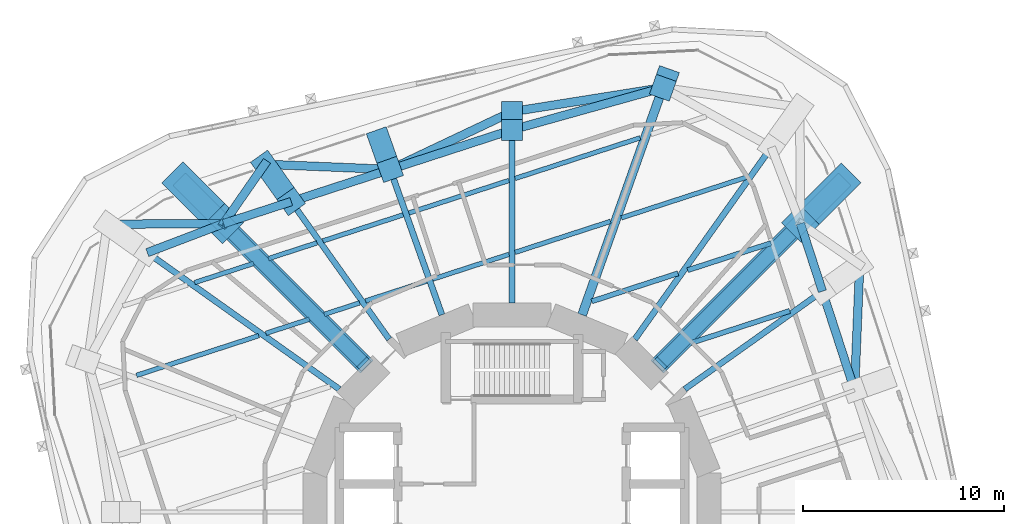
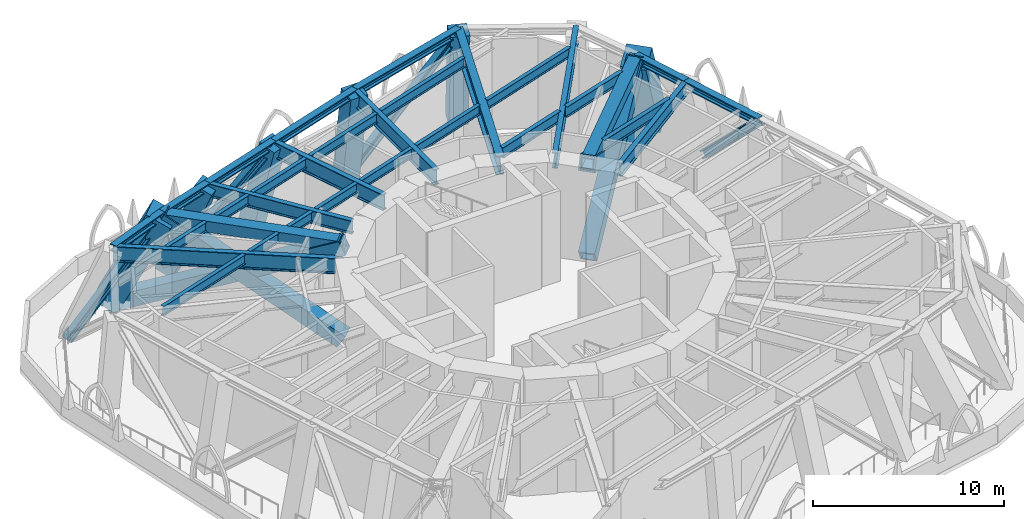
# One storey, part 3 of 11: 25 members, 22 beams.
"""IFC4 building model written with IfcOpenShell, lengths in metres."""

from ifc_helpers import new_model, si_unit, direction, frame, origin, origin_2d, place, context, subcontext, project, spatial, rectangle, hollow_rectangle, i_section, extrude, material, material_profile, profile_set, type_object, element, save


model = new_model("IFC4")

# Units and contexts
model_context = context("Model", 3, precision=1e-05, world=origin(), true_north=direction((0.0, 1.0)))
body_context = subcontext(model_context, "Body", "Model", "MODEL_VIEW")
ifc_project = project(units=[si_unit("LENGTHUNIT", "METRE"), si_unit("AREAUNIT", "SQUARE_METRE"), si_unit("VOLUMEUNIT", "CUBIC_METRE"), si_unit("PLANEANGLEUNIT", "RADIAN"), si_unit("MASSUNIT", "GRAM", prefix="KILO")], contexts=[model_context])

# Site, building, storey
site_placement = place(None, origin())
site = spatial("IfcSite", under=ifc_project, at=site_placement, CompositionType="ELEMENT")
building_placement = place(site_placement, origin())
building = spatial("IfcBuilding", under=site, at=building_placement, Name="Nakasero Lantern House", CompositionType="ELEMENT")
storey_placement = place(building_placement, frame((0.0, 0.0, 135.800048828125)))
storey = spatial("IfcBuildingStorey", under=building, at=storey_placement, Name="L33", CompositionType="ELEMENT", Elevation=135.800048828125)

# Members
ifc_material_1 = material(Name="Steel S355", Category="steel")
ifc_material_profile_1 = material_profile(ifc_material_1, i_section(OverallWidth=0.41845703125, OverallDepth=0.45556640625, WebThickness=0.0419921875, FlangeThickness=0.0673828125, FilletRadius=0.01513671875, at=origin_2d()), Name="UC 356x406x551")
ifc_profile_set_1 = profile_set([ifc_material_profile_1], Name="Steel S355")
member_type_1 = type_object("IfcMemberType", Name="Belt truss chord UC 356x406x551", PredefinedType="CHORD", material=ifc_profile_set_1)
member_1_placement = place(storey_placement, frame((17.060546875, 6.06591796875, 5.572265625), z_axis=(-0.309023207396, 0.95105449754, 0.0), x_axis=(-0.95105449754, -0.309023207396, 0.0)))
element("IfcMember", 1, at=member_1_placement, inside=storey, type_object=member_type_1, Name="Belt truss top chord T3 B4-C04T", PredefinedType="CHORD", context=body_context, shape_type="SweptSolid", body=[
    extrude(i_section(OverallWidth=0.41845703125, OverallDepth=0.45556640625, WebThickness=0.0419921875, FlangeThickness=0.0673828125, FilletRadius=0.01513671875, at=origin_2d()), origin(), (0.0, 0.0, 1.0), 5.18115234375),
])
member_2_placement = place(storey_placement, frame((15.45947265625, 10.993408203125, 5.572265625), z_axis=(-0.309006636447, 0.951059881727, 0.0), x_axis=(-0.951059881727, -0.309006636447, 0.0)))
element("IfcMember", 2, at=member_2_placement, inside=storey, type_object=member_type_1, Name="Belt truss top chord T3 B4-C05T", PredefinedType="CHORD", context=body_context, shape_type="SweptSolid", body=[
    extrude(i_section(OverallWidth=0.41845703125, OverallDepth=0.45556640625, WebThickness=0.0419921875, FlangeThickness=0.0673828125, FilletRadius=0.01513671875, at=origin_2d()), origin(), (0.0, 0.0, 1.0), 3.544189453125),
])
member_3_placement = place(storey_placement, frame((7.5126953125, 21.129638671875, 5.572265625), z_axis=(-0.963143892339, -0.268986696047, 0.0), x_axis=(0.268986696047, -0.963143892339, 0.0)))
element("IfcMember", 3, at=member_3_placement, inside=storey, type_object=member_type_1, Name="Belt truss top chord T3 B4-C08T", PredefinedType="CHORD", context=body_context, shape_type="SweptSolid", body=[
    extrude(i_section(OverallWidth=0.41845703125, OverallDepth=0.45556640625, WebThickness=0.0419921875, FlangeThickness=0.0673828125, FilletRadius=0.01513671875, at=origin_2d()), origin(), (0.0, 0.0, 1.0), 7.80029296875),
])
member_4_placement = place(storey_placement, frame((0.0, 19.031494140625, 5.572265625), z_axis=(-0.951056007502, -0.309018560274, 0.0), x_axis=(0.309018560274, -0.951056007502, 0.0)))
element("IfcMember", 4, at=member_4_placement, inside=storey, type_object=member_type_1, Name="Belt truss top chord T3 B4-C09T", PredefinedType="CHORD", context=body_context, shape_type="SweptSolid", body=[
    extrude(i_section(OverallWidth=0.41845703125, OverallDepth=0.45556640625, WebThickness=0.0419921875, FlangeThickness=0.0673828125, FilletRadius=0.01513671875, at=origin_2d()), origin(), (0.0, 0.0, 1.0), 6.378173828125),
])
member_5_placement = place(storey_placement, frame((-6.06591796875, 17.060546875, 5.572265625), z_axis=(-0.95105449754, -0.309023207396, 0.0), x_axis=(0.309023207396, -0.95105449754, 0.0)))
element("IfcMember", 5, at=member_5_placement, inside=storey, type_object=member_type_1, Name="Belt truss top chord T3 B4-C10T", PredefinedType="CHORD", context=body_context, shape_type="SweptSolid", body=[
    extrude(i_section(OverallWidth=0.41845703125, OverallDepth=0.45556640625, WebThickness=0.0419921875, FlangeThickness=0.0673828125, FilletRadius=0.01513671875, at=origin_2d()), origin(), (0.0, 0.0, 1.0), 5.18115234375),
])
member_6_placement = place(storey_placement, frame((-10.993408203125, 15.45947265625, 5.572265625), z_axis=(-0.951059881727, -0.309006636447, 0.0), x_axis=(0.309006636447, -0.951059881727, 0.0)))
element("IfcMember", 6, at=member_6_placement, inside=storey, type_object=member_type_1, Name="Belt truss top chord T3 B4-C11T", PredefinedType="CHORD", context=body_context, shape_type="SweptSolid", body=[
    extrude(i_section(OverallWidth=0.41845703125, OverallDepth=0.45556640625, WebThickness=0.0419921875, FlangeThickness=0.0673828125, FilletRadius=0.01513671875, at=origin_2d()), origin(), (0.0, 0.0, 1.0), 3.544189453125),
])
member_7_placement = place(storey_placement, frame((-14.3642578125, 14.3642578125, 5.572265625), z_axis=(-0.934400186194, -0.35622505813, 0.0), x_axis=(0.35622505813, -0.934400186194, 0.0)))
element("IfcMember", 7, at=member_7_placement, inside=storey, type_object=member_type_1, Name="Belt truss top chord T3 B4-C12T", PredefinedType="CHORD", context=body_context, shape_type="SweptSolid", body=[
    extrude(i_section(OverallWidth=0.41845703125, OverallDepth=0.45556640625, WebThickness=0.0419921875, FlangeThickness=0.0673828125, FilletRadius=0.01513671875, at=origin_2d()), origin(), (0.0, 0.0, 1.0), 4.0654296875),
])
ifc_material_2 = material(Name="Steel S355", Category="steel")
ifc_material_profile_2 = material_profile(ifc_material_2, i_section(OverallWidth=0.424072265625, OverallDepth=0.474609375, WebThickness=0.047607421875, FlangeThickness=0.076904296875, FilletRadius=0.01513671875, at=origin_2d()), Name="UC 356x406x634")
ifc_profile_set_2 = profile_set([ifc_material_profile_2], Name="Steel S355")
member_type_2 = type_object("IfcMemberType", Name="Belt truss diagonal UC 356x406x634", PredefinedType="BRACE", material=ifc_profile_set_2)
member_8_placement = place(storey_placement, frame((17.060546875, 6.06591796875, 5.572265625), z_axis=(0.02971833324, 0.721014651765, -0.692282234793), x_axis=(-0.99915164467, 0.041182410733, 0.0)))
element("IfcMember", 8, at=member_8_placement, inside=storey, type_object=member_type_2, Name="Belt truss diagonal T3-04", PredefinedType="BRACE", context=body_context, shape_type="SweptSolid", body=[
    extrude(i_section(OverallWidth=0.424072265625, OverallDepth=0.474609375, WebThickness=0.047607421875, FlangeThickness=0.076904296875, FilletRadius=0.01513671875, at=origin_2d()), origin(), (0.0, 0.0, 1.0), 8.6669921875),
])
member_9_placement = place(storey_placement, frame((7.5126953125, 21.129638671875, 5.572265625), z_axis=(-0.775426409651, -0.123248751124, -0.61929284556), x_axis=(0.156972765482, -0.987602931798, 0.0)))
element("IfcMember", 9, at=member_9_placement, inside=storey, type_object=member_type_2, Name="Belt truss diagonal T3-08", PredefinedType="BRACE", context=body_context, shape_type="SweptSolid", body=[
    extrude(i_section(OverallWidth=0.424072265625, OverallDepth=0.474609375, WebThickness=0.047607421875, FlangeThickness=0.076904296875, FilletRadius=0.01513671875, at=origin_2d()), origin(), (0.0, 0.0, 1.0), 9.6884765625),
])
member_10_placement = place(storey_placement, frame((0.0, 19.935546875, -0.427734375), z_axis=(-0.673737300974, -0.319324255666, 0.666415837911), x_axis=(0.42828957635, -0.903641543307, 0.0)))
element("IfcMember", 10, at=member_10_placement, inside=storey, type_object=member_type_2, Name="Belt truss diagonal T3-09", PredefinedType="BRACE", context=body_context, shape_type="SweptSolid", body=[
    extrude(i_section(OverallWidth=0.424072265625, OverallDepth=0.474609375, WebThickness=0.047607421875, FlangeThickness=0.076904296875, FilletRadius=0.01513671875, at=origin_2d()), origin(), (0.0, 0.0, 1.0), 9.00341796875),
])
member_11_placement = place(storey_placement, frame((-6.06591796875, 17.060546875, 5.572265625), z_axis=(-0.721014651765, 0.02971833324, -0.692282234793), x_axis=(-0.041182410733, -0.99915164467, 0.0)))
element("IfcMember", 11, at=member_11_placement, inside=storey, type_object=member_type_2, Name="Belt truss diagonal T3-10", PredefinedType="BRACE", context=body_context, shape_type="SweptSolid", body=[
    extrude(i_section(OverallWidth=0.424072265625, OverallDepth=0.474609375, WebThickness=0.047607421875, FlangeThickness=0.076904296875, FilletRadius=0.01513671875, at=origin_2d()), origin(), (0.0, 0.0, 1.0), 8.6669921875),
])
member_12_placement = place(storey_placement, frame((-12.31494140625, 17.318115234375, -0.427734375), z_axis=(-0.292983880394, -0.422303069917, 0.857799838522), x_axis=(0.821627058454, -0.570025417693, 0.0)))
element("IfcMember", 12, at=member_12_placement, inside=storey, type_object=member_type_2, Name="Belt truss diagonal T3-11", PredefinedType="BRACE", context=body_context, shape_type="SweptSolid", body=[
    extrude(i_section(OverallWidth=0.424072265625, OverallDepth=0.474609375, WebThickness=0.047607421875, FlangeThickness=0.076904296875, FilletRadius=0.01513671875, at=origin_2d()), origin(), (0.0, 0.0, 1.0), 6.99462890625),
])
member_13_placement = place(storey_placement, frame((-14.3642578125, 14.3642578125, 5.572265625), z_axis=(-0.694520822143, -0.003688653835, -0.719463148078), x_axis=(0.005311002485, -0.999985896527, 0.0)))
element("IfcMember", 13, at=member_13_placement, inside=storey, type_object=member_type_2, Name="Belt truss diagonal T3-12", PredefinedType="BRACE", context=body_context, shape_type="SweptSolid", body=[
    extrude(i_section(OverallWidth=0.424072265625, OverallDepth=0.474609375, WebThickness=0.047607421875, FlangeThickness=0.076904296875, FilletRadius=0.01513671875, at=origin_2d()), origin(), (0.0, 0.0, 1.0), 8.339599609375),
])

# Beams
ifc_material_3 = material(Name="Steel S355", Category="steel")
ifc_material_profile_3 = material_profile(ifc_material_3, i_section(OverallWidth=0.22900390625, OverallDepth=0.6123046875, WebThickness=0.011962890625, FlangeThickness=0.01953125, FilletRadius=0.0126953125, at=origin_2d()), Name="UB 610x229x125")
ifc_profile_set_3 = profile_set([ifc_material_profile_3], Name="Steel S355")
beam_type_1 = type_object("IfcBeamType", Name="Infill beam UB 610x229x125", PredefinedType="JOIST", material=ifc_profile_set_3)
beam_1_placement = place(storey_placement, frame((-18.700439453125, 6.80419921875, 5.493896484375), z_axis=(0.951050317144, 0.309036072748, 0.0), x_axis=(-0.309036072748, 0.951050317144, 0.0)))
element("IfcBeam", 14, at=beam_1_placement, inside=storey, type_object=beam_type_1, Name="Infill beam L34 11.2", PredefinedType="JOIST", context=body_context, shape_type="SweptSolid", body=[
    extrude(i_section(OverallWidth=0.22900390625, OverallDepth=0.6123046875, WebThickness=0.011962890625, FlangeThickness=0.01953125, FilletRadius=0.0126953125, at=origin_2d()), origin(), (0.0, 0.0, 1.0), 6.40380859375),
])
beam_2_placement = place(storey_placement, frame((-12.2548828125, 8.898681640625, 5.493896484375), z_axis=(0.951064087789, 0.308993690742, 0.0), x_axis=(-0.308993690742, 0.951064087789, 0.0)))
element("IfcBeam", 15, at=beam_2_placement, inside=storey, type_object=beam_type_1, Name="Infill beam L34 11.3", PredefinedType="JOIST", context=body_context, shape_type="SweptSolid", body=[
    extrude(i_section(OverallWidth=0.22900390625, OverallDepth=0.6123046875, WebThickness=0.011962890625, FlangeThickness=0.01953125, FilletRadius=0.0126953125, at=origin_2d()), origin(), (0.0, 0.0, 1.0), 2.270751953125),
])
beam_3_placement = place(storey_placement, frame((-9.34814453125, 9.843017578125, 5.493896484375), z_axis=(0.951066985522, 0.30898477155, 0.0), x_axis=(-0.30898477155, 0.951066985522, 0.0)))
element("IfcBeam", 16, at=beam_3_placement, inside=storey, type_object=beam_type_1, Name="Infill beam L34 11.4", PredefinedType="JOIST", context=body_context, shape_type="SweptSolid", body=[
    extrude(i_section(OverallWidth=0.22900390625, OverallDepth=0.6123046875, WebThickness=0.011962890625, FlangeThickness=0.01953125, FilletRadius=0.0126953125, at=origin_2d()), origin(), (0.0, 0.0, 1.0), 1.852783203125),
])
beam_4_placement = place(storey_placement, frame((-7.294677734375, 10.51025390625, 5.493896484375), z_axis=(0.951064877985, 0.308991258555, 0.0), x_axis=(-0.308991258555, 0.951064877985, 0.0)))
element("IfcBeam", 17, at=beam_4_placement, inside=storey, type_object=beam_type_1, Name="Infill beam L34 11.5", PredefinedType="JOIST", context=body_context, shape_type="SweptSolid", body=[
    extrude(i_section(OverallWidth=0.22900390625, OverallDepth=0.6123046875, WebThickness=0.011962890625, FlangeThickness=0.01953125, FilletRadius=0.0126953125, at=origin_2d()), origin(), (0.0, 0.0, 1.0), 3.202392578125),
])
beam_5_placement = place(storey_placement, frame((-3.961669921875, 11.59326171875, 5.493896484375), z_axis=(0.951056001018, 0.309018580232, 0.0), x_axis=(-0.309018580232, 0.951056001018, 0.0)))
element("IfcBeam", 18, at=beam_5_placement, inside=storey, type_object=beam_type_1, Name="Infill beam L34 11.6", PredefinedType="JOIST", context=body_context, shape_type="SweptSolid", body=[
    extrude(i_section(OverallWidth=0.22900390625, OverallDepth=0.6123046875, WebThickness=0.011962890625, FlangeThickness=0.01953125, FilletRadius=0.0126953125, at=origin_2d()), origin(), (0.0, 0.0, 1.0), 4.0078125),
])
beam_6_placement = place(storey_placement, frame((0.14990234375, 12.92919921875, 5.493896484375), z_axis=(0.951061678684, 0.309001105723, 0.0), x_axis=(-0.309001105723, 0.951061678684, 0.0)))
element("IfcBeam", 19, at=beam_6_placement, inside=storey, type_object=beam_type_1, Name="Infill beam L34 11.7", PredefinedType="JOIST", context=body_context, shape_type="SweptSolid", body=[
    extrude(i_section(OverallWidth=0.22900390625, OverallDepth=0.6123046875, WebThickness=0.011962890625, FlangeThickness=0.01953125, FilletRadius=0.0126953125, at=origin_2d()), origin(), (0.0, 0.0, 1.0), 5.0029296875),
])
beam_7_placement = place(storey_placement, frame((5.447998046875, 14.650634765625, 5.493896484375), z_axis=(0.95106558978, 0.308989067666, 0.0), x_axis=(-0.308989067666, 0.95106558978, 0.0)))
element("IfcBeam", 20, at=beam_7_placement, inside=storey, type_object=beam_type_1, Name="Infill beam L34 11.8", PredefinedType="JOIST", context=body_context, shape_type="SweptSolid", body=[
    extrude(i_section(OverallWidth=0.22900390625, OverallDepth=0.6123046875, WebThickness=0.011962890625, FlangeThickness=0.01953125, FilletRadius=0.0126953125, at=origin_2d()), origin(), (0.0, 0.0, 1.0), 6.544677734375),
])
beam_8_placement = place(storey_placement, frame((-15.806884765625, 11.424560546875, 5.493896484375), z_axis=(0.951053839547, 0.309025232437, 0.0), x_axis=(-0.309025232437, 0.951053839547, 0.0)))
element("IfcBeam", 21, at=beam_8_placement, inside=storey, type_object=beam_type_1, Name="Infill beam L34 12.2", PredefinedType="JOIST", context=body_context, shape_type="SweptSolid", body=[
    extrude(i_section(OverallWidth=0.22900390625, OverallDepth=0.6123046875, WebThickness=0.011962890625, FlangeThickness=0.01953125, FilletRadius=0.0126953125, at=origin_2d()), origin(), (0.0, 0.0, 1.0), 3.085205078125),
])
beam_9_placement = place(storey_placement, frame((-12.125732421875, 12.62060546875, 5.493896484375), z_axis=(0.951041844198, 0.3090621468, 0.0), x_axis=(-0.3090621468, 0.951041844198, 0.0)))
element("IfcBeam", 22, at=beam_9_placement, inside=storey, type_object=beam_type_1, Name="Infill beam L34 12.3", PredefinedType="JOIST", context=body_context, shape_type="SweptSolid", body=[
    extrude(i_section(OverallWidth=0.22900390625, OverallDepth=0.6123046875, WebThickness=0.011962890625, FlangeThickness=0.01953125, FilletRadius=0.0126953125, at=origin_2d()), origin(), (0.0, 0.0, 1.0), 2.5380859375),
])
beam_10_placement = place(storey_placement, frame((-9.42041015625, 13.499755859375, 5.493896484375), z_axis=(0.951060098043, 0.309005970671, 0.0), x_axis=(-0.309005970671, 0.951060098043, 0.0)))
element("IfcBeam", 23, at=beam_10_placement, inside=storey, type_object=beam_type_1, Name="Infill beam L34 12.4", PredefinedType="JOIST", context=body_context, shape_type="SweptSolid", body=[
    extrude(i_section(OverallWidth=0.22900390625, OverallDepth=0.6123046875, WebThickness=0.011962890625, FlangeThickness=0.01953125, FilletRadius=0.0126953125, at=origin_2d()), origin(), (0.0, 0.0, 1.0), 4.2041015625),
])
beam_11_placement = place(storey_placement, frame((-5.134765625, 14.89208984375, 5.493896484375), z_axis=(0.951059395916, 0.309008131673, 0.0), x_axis=(-0.309008131673, 0.951059395916, 0.0)))
element("IfcBeam", 24, at=beam_11_placement, inside=storey, type_object=beam_type_1, Name="Infill beam L34 12.5", PredefinedType="JOIST", context=body_context, shape_type="SweptSolid", body=[
    extrude(i_section(OverallWidth=0.22900390625, OverallDepth=0.6123046875, WebThickness=0.011962890625, FlangeThickness=0.01953125, FilletRadius=0.0126953125, at=origin_2d()), origin(), (0.0, 0.0, 1.0), 5.241455078125),
])
beam_12_placement = place(storey_placement, frame((0.14990234375, 16.609375, 5.493896484375), z_axis=(0.951057045808, 0.309015364696, 0.0), x_axis=(-0.309015364696, 0.951057045808, 0.0)))
element("IfcBeam", 25, at=beam_12_placement, inside=storey, type_object=beam_type_1, Name="Infill beam L34 12.6", PredefinedType="JOIST", context=body_context, shape_type="SweptSolid", body=[
    extrude(i_section(OverallWidth=0.22900390625, OverallDepth=0.6123046875, WebThickness=0.011962890625, FlangeThickness=0.01953125, FilletRadius=0.0126953125, at=origin_2d()), origin(), (0.0, 0.0, 1.0), 6.558349609375),
])
ifc_material_4 = material(Name="Steel S355", Category="steel")
ifc_material_profile_4 = material_profile(ifc_material_4, i_section(OverallWidth=0.253662109375, OverallDepth=0.68359375, WebThickness=0.012451171875, FlangeThickness=0.01904296875, FilletRadius=0.01513671875, at=origin_2d()), Name="UB 686x254x140")
ifc_profile_set_4 = profile_set([ifc_material_profile_4], Name="Steel S355")
beam_type_2 = type_object("IfcBeamType", Name="Infill beam UB 686x254x140", PredefinedType="JOIST", material=ifc_profile_set_4)
beam_13_placement = place(storey_placement, frame((8.91015625, 8.415283203125, 5.458251953125), z_axis=(0.951053838393, 0.30902523599, 0.0), x_axis=(-0.30902523599, 0.951053838393, 0.0)))
element("IfcBeam", 26, at=beam_13_placement, inside=storey, type_object=beam_type_2, Name="Infill beam L34 09.2", PredefinedType="JOIST", context=body_context, shape_type="SweptSolid", body=[
    extrude(i_section(OverallWidth=0.253662109375, OverallDepth=0.68359375, WebThickness=0.012451171875, FlangeThickness=0.01904296875, FilletRadius=0.01513671875, at=origin_2d()), origin(), (0.0, 0.0, 1.0), 5.17236328125),
])
beam_14_placement = place(storey_placement, frame((3.968505859375, 10.48974609375, 5.458251953125), z_axis=(0.951063822327, 0.308994507816, 0.0), x_axis=(-0.308994507816, 0.951063822327, 0.0)))
element("IfcBeam", 27, at=beam_14_placement, inside=storey, type_object=beam_type_2, Name="Infill beam L34 10.3", PredefinedType="JOIST", context=body_context, shape_type="SweptSolid", body=[
    extrude(i_section(OverallWidth=0.253662109375, OverallDepth=0.68359375, WebThickness=0.012451171875, FlangeThickness=0.01904296875, FilletRadius=0.01513671875, at=origin_2d()), origin(), (0.0, 0.0, 1.0), 4.521728515625),
])
beam_15_placement = place(storey_placement, frame((8.74755859375, 12.04248046875, 5.458251953125), z_axis=(0.951057515265, 0.309013919846, 0.0), x_axis=(-0.309013919846, 0.951057515265, 0.0)))
element("IfcBeam", 28, at=beam_15_placement, inside=storey, type_object=beam_type_2, Name="Infill beam L34 10.4", PredefinedType="JOIST", context=body_context, shape_type="SweptSolid", body=[
    extrude(i_section(OverallWidth=0.253662109375, OverallDepth=0.68359375, WebThickness=0.012451171875, FlangeThickness=0.01904296875, FilletRadius=0.01513671875, at=origin_2d()), origin(), (0.0, 0.0, 1.0), 4.361083984375),
])

# Members
ifc_material_5 = material(Name="Steel S355", Category="steel")
ifc_material_profile_5 = material_profile(ifc_material_5, hollow_rectangle(XDim=0.699951171875, YDim=0.699951171875, WallThickness=0.050048828125, at=origin_2d()), Name="BOX 700x700x50")
ifc_profile_set_5 = profile_set([ifc_material_profile_5], Name="Steel S355")
member_type_3 = type_object("IfcMemberType", Name="Outrigger chord BOX 700x700x50", PredefinedType="CHORD", material=ifc_profile_set_5)
for number, where, z_axis, x_axis, name in (
    (29, (14.3642578125, 14.3642578125, 5.449951171875), (-0.707106781187, -0.707106781187, 0.0), (0.707106781187, -0.707106781187, 0.0), "Outrigger chord L34 B4-C06T"),
    (30, (-14.3642578125, 14.3642578125, 5.449951171875), (0.707106781187, -0.707106781187, 0.0), (0.707106781187, 0.707106781187, 0.0), "Outrigger chord L34 B4-C12T"),
):
    element("IfcMember", number, at=place(storey_placement, frame(where, z_axis=z_axis, x_axis=x_axis)), inside=storey, type_object=member_type_3, Name=name, PredefinedType="CHORD", context=body_context, shape_type="SweptSolid", body=[
        extrude(hollow_rectangle(XDim=0.699951171875, YDim=0.699951171875, WallThickness=0.050048828125, at=origin_2d()), origin(), (0.0, 0.0, 1.0), 9.906494140625),
    ])
ifc_material_6 = material(Name="Steel S355", Category="steel")
ifc_material_profile_6 = material_profile(ifc_material_6, hollow_rectangle(XDim=0.89990234375, YDim=0.89990234375, WallThickness=0.10009765625, at=origin_2d()), Name="BOX 900x900x100")
ifc_profile_set_6 = profile_set([ifc_material_profile_6], Name="Steel S355")
member_type_4 = type_object("IfcMemberType", Name="Outrigger diagonal BOX 900x900x100", PredefinedType="BRACE", material=ifc_profile_set_6)
member_14_placement = place(storey_placement, frame((7.394775390625, 7.394775390625, -0.550048828125), z_axis=(0.603996233112, 0.603996233112, 0.519977981047), x_axis=(-0.707106781187, 0.707106781187, 0.0)))
element("IfcMember", 31, at=member_14_placement, inside=storey, type_object=member_type_4, Name="Outrigger diagonal L33 06 rising", PredefinedType="BRACE", context=body_context, shape_type="SweptSolid", body=[
    extrude(hollow_rectangle(XDim=0.89990234375, YDim=0.89990234375, WallThickness=0.10009765625, at=origin_2d()), origin(), (0.0, 0.0, 1.0), 11.5390625),
])
member_15_placement = place(storey_placement, frame((7.359375, 7.359375, 5.449951171875), z_axis=(0.640644179164, 0.640644179164, -0.423261233054), x_axis=(-0.707106781187, 0.707106781187, 0.0)))
element("IfcMember", 32, at=member_15_placement, inside=storey, type_object=member_type_4, Name="Outrigger diagonal L33 06 falling", PredefinedType="BRACE", context=body_context, shape_type="SweptSolid", body=[
    extrude(hollow_rectangle(XDim=0.89990234375, YDim=0.89990234375, WallThickness=0.10009765625, at=origin_2d()), origin(), (0.0, 0.0, 1.0), 14.175537109375),
])
member_16_placement = place(storey_placement, frame((-7.394775390625, 7.394775390625, -0.550048828125), z_axis=(-0.603996233112, 0.603996233112, 0.519977981047), x_axis=(-0.707106781187, -0.707106781187, 0.0)))
element("IfcMember", 33, at=member_16_placement, inside=storey, type_object=member_type_4, Name="Outrigger diagonal L33 12 rising", PredefinedType="BRACE", context=body_context, shape_type="SweptSolid", body=[
    extrude(hollow_rectangle(XDim=0.89990234375, YDim=0.89990234375, WallThickness=0.10009765625, at=origin_2d()), origin(), (0.0, 0.0, 1.0), 11.5390625),
])
member_17_placement = place(storey_placement, frame((-7.359375, 7.359375, 5.449951171875), z_axis=(-0.640644179164, 0.640644179164, -0.423261233054), x_axis=(-0.707106781187, -0.707106781187, 0.0)))
element("IfcMember", 34, at=member_17_placement, inside=storey, type_object=member_type_4, Name="Outrigger diagonal L33 12 falling", PredefinedType="BRACE", context=body_context, shape_type="SweptSolid", body=[
    extrude(hollow_rectangle(XDim=0.89990234375, YDim=0.89990234375, WallThickness=0.10009765625, at=origin_2d()), origin(), (0.0, 0.0, 1.0), 14.175537109375),
])

# Beams
ifc_material_7 = material(Name="Steel S355", Category="steel")
ifc_material_profile_7 = material_profile(ifc_material_7, i_section(OverallWidth=0.449951171875, OverallDepth=1.199951171875, WebThickness=0.02490234375, FlangeThickness=0.06005859375, at=origin_2d()), Name="PG 1200x450x636")
ifc_profile_set_7 = profile_set([ifc_material_profile_7], Name="Steel S355")
beam_type_3 = type_object("IfcBeamType", Name="Primary beam PG 1200x450x636, span 12 to 15 m", PredefinedType="BEAM", material=ifc_profile_set_7)
beam_16_placement = place(storey_placement, frame((7.5126953125, 21.129638671875, 5.199951171875), z_axis=(-0.335012877559, -0.942213548974, 0.0), x_axis=(0.942213548974, -0.335012877559, 0.0)))
element("IfcBeam", 35, at=beam_16_placement, inside=storey, type_object=beam_type_3, Name="Primary beam L34 B4-C08T", PredefinedType="BEAM", context=body_context, shape_type="SweptSolid", body=[
    extrude(i_section(OverallWidth=0.449951171875, OverallDepth=1.199951171875, WebThickness=0.02490234375, FlangeThickness=0.06005859375, at=origin_2d()), origin(), (0.0, 0.0, 1.0), 12.00390625),
])
ifc_material_8 = material(Name="Steel S355", Category="steel")
ifc_material_profile_8 = material_profile(ifc_material_8, i_section(OverallWidth=0.300048828125, OverallDepth=0.97998046875, WebThickness=0.0166015625, FlangeThickness=0.02587890625, FilletRadius=0.030029296875, at=origin_2d()), Name="UB 1016x305x249")
ifc_profile_set_8 = profile_set([ifc_material_profile_8], Name="Steel S355")
beam_type_4 = type_object("IfcBeamType", Name="Primary beam UB 1016x305x249, span 6 to 9 m", PredefinedType="BEAM", material=ifc_profile_set_8)
beam_17_placement = place(storey_placement, frame((0.0, 19.031494140625, 5.309814453125), z_axis=(0.0, -1.0, 0.0), x_axis=(1.0, 0.0, 0.0)))
element("IfcBeam", 36, at=beam_17_placement, inside=storey, type_object=beam_type_4, Name="Primary beam L34 B4-C09T", PredefinedType="BEAM", context=body_context, shape_type="SweptSolid", body=[
    extrude(i_section(OverallWidth=0.300048828125, OverallDepth=0.97998046875, WebThickness=0.0166015625, FlangeThickness=0.02587890625, FilletRadius=0.030029296875, at=origin_2d()), origin(), (0.0, 0.0, 1.0), 8.62353515625),
])
ifc_material_9 = material(Name="Steel S355", Category="steel")
ifc_material_profile_9 = material_profile(ifc_material_9, i_section(OverallWidth=0.300048828125, OverallDepth=0.97998046875, WebThickness=0.0166015625, FlangeThickness=0.02587890625, FilletRadius=0.030029296875, at=origin_2d()), Name="UB 1016x305x249")
ifc_profile_set_9 = profile_set([ifc_material_profile_9], Name="Steel S355")
beam_type_5 = type_object("IfcBeamType", Name="Primary beam UB 1016x305x249, span 9 to 12 m", PredefinedType="BEAM", material=ifc_profile_set_9)
beam_18_placement = place(storey_placement, frame((12.916015625, 18.1630859375, 5.309814453125), z_axis=(-0.579530236062, -0.814950738075, 0.0), x_axis=(0.814950738075, -0.579530236062, 0.0)))
element("IfcBeam", 37, at=beam_18_placement, inside=storey, type_object=beam_type_5, Name="Primary beam L34 B4-C07T", PredefinedType="BEAM", context=body_context, shape_type="SweptSolid", body=[
    extrude(i_section(OverallWidth=0.300048828125, OverallDepth=0.97998046875, WebThickness=0.0166015625, FlangeThickness=0.02587890625, FilletRadius=0.030029296875, at=origin_2d()), origin(), (0.0, 0.0, 1.0), 11.73193359375),
])
ifc_material_10 = material(Name="Steel S355", Category="steel")
ifc_material_profile_10 = material_profile(ifc_material_10, i_section(OverallWidth=0.300048828125, OverallDepth=1.0, WebThickness=0.01904296875, FlangeThickness=0.035888671875, FilletRadius=0.030029296875, at=origin_2d()), Name="UB 1016x305x314")
ifc_profile_set_10 = profile_set([ifc_material_profile_10], Name="Steel S355")
beam_type_6 = type_object("IfcBeamType", Name="Primary beam UB 1016x305x314, span 9 to 12 m", PredefinedType="BEAM", material=ifc_profile_set_10)
beam_19_placement = place(storey_placement, frame((-18.1630859375, 12.916015625, 5.300048828125), z_axis=(0.814950738075, -0.579530236062, 0.0), x_axis=(0.579530236062, 0.814950738075, 0.0)))
element("IfcBeam", 38, at=beam_19_placement, inside=storey, type_object=beam_type_6, Name="Primary beam L34 B4-C13T", PredefinedType="BEAM", context=body_context, shape_type="SweptSolid", body=[
    extrude(i_section(OverallWidth=0.300048828125, OverallDepth=1.0, WebThickness=0.01904296875, FlangeThickness=0.035888671875, FilletRadius=0.030029296875, at=origin_2d()), origin(), (0.0, 0.0, 1.0), 11.73193359375),
])
ifc_material_11 = material(Name="Steel S355", Category="steel")
ifc_material_profile_11 = material_profile(ifc_material_11, i_section(OverallWidth=0.302001953125, OverallDepth=1.008056640625, WebThickness=0.02099609375, FlangeThickness=0.0400390625, FilletRadius=0.030029296875, at=origin_2d()), Name="UB 1016x305x349")
ifc_profile_set_11 = profile_set([ifc_material_profile_11], Name="Steel S355")
beam_type_7 = type_object("IfcBeamType", Name="Primary beam UB 1016x305x349, span 6 to 9 m", PredefinedType="BEAM", material=ifc_profile_set_11)
beam_20_placement = place(storey_placement, frame((-6.06591796875, 17.060546875, 5.2958984375), z_axis=(0.335015934723, -0.942212461965, 0.0), x_axis=(0.942212461965, 0.335015934723, 0.0)))
element("IfcBeam", 39, at=beam_20_placement, inside=storey, type_object=beam_type_7, Name="Primary beam L34 B4-C10T", PredefinedType="BEAM", context=body_context, shape_type="SweptSolid", body=[
    extrude(i_section(OverallWidth=0.302001953125, OverallDepth=1.008056640625, WebThickness=0.02099609375, FlangeThickness=0.0400390625, FilletRadius=0.030029296875, at=origin_2d()), origin(), (0.0, 0.0, 1.0), 7.685302734375),
])
ifc_material_12 = material(Name="Steel S355", Category="steel")
ifc_material_profile_12 = material_profile(ifc_material_12, i_section(OverallWidth=0.29248046875, OverallDepth=0.8408203125, WebThickness=0.0146484375, FlangeThickness=0.02685546875, FilletRadius=0.017822265625, at=origin_2d()), Name="UB 838x292x194")
ifc_profile_set_12 = profile_set([ifc_material_profile_12], Name="Steel S355")
beam_type_8 = type_object("IfcBeamType", Name="Primary beam UB 838x292x194, span 6 to 9 m", PredefinedType="BEAM", material=ifc_profile_set_12)
for number, where, z_axis, x_axis, name in (
    (40, (15.45947265625, 10.993408203125, 5.379638671875), (-0.81495106139, -0.579529781409, 0.0), (0.579529781409, -0.81495106139, 0.0), "Primary beam L34 B4-C05T"),
    (41, (-10.993408203125, 15.45947265625, 5.379638671875), (0.579529781409, -0.81495106139, 0.0), (0.81495106139, 0.579529781409, 0.0), "Primary beam L34 B4-C11T"),
):
    element("IfcBeam", number, at=place(storey_placement, frame(where, z_axis=z_axis, x_axis=x_axis)), inside=storey, type_object=beam_type_8, Name=name, PredefinedType="BEAM", context=body_context, shape_type="SweptSolid", body=[
        extrude(i_section(OverallWidth=0.29248046875, OverallDepth=0.8408203125, WebThickness=0.0146484375, FlangeThickness=0.02685546875, FilletRadius=0.017822265625, at=origin_2d()), origin(), (0.0, 0.0, 1.0), 8.41455078125),
    ])

# Members
ifc_material_13 = material(Name="Concrete C50/60", Category="concrete")
ifc_material_profile_13 = material_profile(ifc_material_13, rectangle(XDim=1.050048828125, YDim=1.050048828125, at=origin_2d()), Name="RC 1050x1050")
ifc_profile_set_13 = profile_set([ifc_material_profile_13], Name="Concrete C50/60")
member_type_5 = type_object("IfcMemberType", Name="Raking column RC 1050x1050 C50/60", PredefinedType="STRUT", material=ifc_profile_set_13)
member_18_placement = place(storey_placement, frame((7.667724609375, 21.5654296875, -0.427734375), z_axis=(-0.025761778459, -0.072416967793, 0.997041680947), x_axis=(0.942159141664, -0.335165857119, 0.0)))
element("IfcMember", 42, at=member_18_placement, inside=storey, type_object=member_type_5, Name="Raking column B4-C08T L33", PredefinedType="STRUT", context=body_context, shape_type="SweptSolid", body=[
    extrude(rectangle(XDim=1.050048828125, YDim=1.050048828125, at=origin_2d()), origin(), (0.0, 0.0, 1.0), 6.017822265625),
])
member_19_placement = place(storey_placement, frame((0.0, 19.935546875, -0.427734375), z_axis=(0.0, -0.14899363954, 0.988838154288), x_axis=(1.0, 0.0, 0.0)))
element("IfcMember", 43, at=member_19_placement, inside=storey, type_object=member_type_5, Name="Raking column B4-C09T L33", PredefinedType="STRUT", context=body_context, shape_type="SweptSolid", body=[
    extrude(rectangle(XDim=1.050048828125, YDim=1.050048828125, at=origin_2d()), origin(), (0.0, 0.0, 1.0), 6.067626953125),
])
member_20_placement = place(storey_placement, frame((-6.590087890625, 18.534912109375, -0.427734375), z_axis=(0.084534182399, -0.237774535403, 0.967634870352), x_axis=(0.942224539653, 0.334981965, 0.0)))
element("IfcMember", 44, at=member_20_placement, inside=storey, type_object=member_type_5, Name="Raking column B4-C10T L33", PredefinedType="STRUT", context=body_context, shape_type="SweptSolid", body=[
    extrude(rectangle(XDim=1.050048828125, YDim=1.050048828125, at=origin_2d()), origin(), (0.0, 0.0, 1.0), 6.20068359375),
])
member_21_placement = place(storey_placement, frame((-12.31494140625, 17.318115234375, -0.427734375), z_axis=(0.20588475447, -0.289562282612, 0.934754059828), x_axis=(0.814990152881, 0.57947480593, 0.0)))
element("IfcMember", 45, at=member_21_placement, inside=storey, type_object=member_type_5, Name="Raking column B4-C11T L33", PredefinedType="STRUT", context=body_context, shape_type="SweptSolid", body=[
    extrude(rectangle(XDim=1.050048828125, YDim=1.050048828125, at=origin_2d()), origin(), (0.0, 0.0, 1.0), 6.418701171875),
])
ifc_material_14 = material(Name="Concrete C50/60", Category="concrete")
ifc_material_profile_14 = material_profile(ifc_material_14, rectangle(XDim=1.39990234375, YDim=1.39990234375, at=origin_2d()), Name="RC 1400x1400")
ifc_profile_set_14 = profile_set([ifc_material_profile_14], Name="Concrete C50/60")
member_type_6 = type_object("IfcMemberType", Name="Raking column RC 1400x1400 C50/60", PredefinedType="STRUT", material=ifc_profile_set_14)
member_22_placement = place(storey_placement, frame((16.44091796875, 16.44091796875, -0.427734375), z_axis=(-0.310868091155, -0.310868091155, 0.898177075973), x_axis=(0.707106781187, -0.707106781187, 0.0)))
element("IfcMember", 46, at=member_22_placement, inside=storey, type_object=member_type_6, Name="Raking column B4-C06T L33", PredefinedType="STRUT", context=body_context, shape_type="SweptSolid", body=[
    extrude(rectangle(XDim=1.39990234375, YDim=1.39990234375, at=origin_2d()), origin(), (0.0, 0.0, 1.0), 6.68017578125),
])
ifc_material_15 = material(Name="Concrete C50/60", Category="concrete")
ifc_material_profile_15 = material_profile(ifc_material_15, rectangle(XDim=1.5, YDim=1.5, at=origin_2d()), Name="RC 1500x1500")
ifc_profile_set_15 = profile_set([ifc_material_profile_15], Name="Concrete C50/60")
member_type_7 = type_object("IfcMemberType", Name="Raking column RC 1500x1500 C50/60", PredefinedType="STRUT", material=ifc_profile_set_15)
member_23_placement = place(storey_placement, frame((-16.44091796875, 16.44091796875, -0.427734375), z_axis=(0.310868091155, -0.310868091155, 0.898177075973), x_axis=(0.707106781187, 0.707106781187, 0.0)))
element("IfcMember", 47, at=member_23_placement, inside=storey, type_object=member_type_7, Name="Raking column B4-C12T L33", PredefinedType="STRUT", context=body_context, shape_type="SweptSolid", body=[
    extrude(rectangle(XDim=1.5, YDim=1.5, at=origin_2d()), origin(), (0.0, 0.0, 1.0), 6.68017578125),
])

save(model, "model.ifc")
